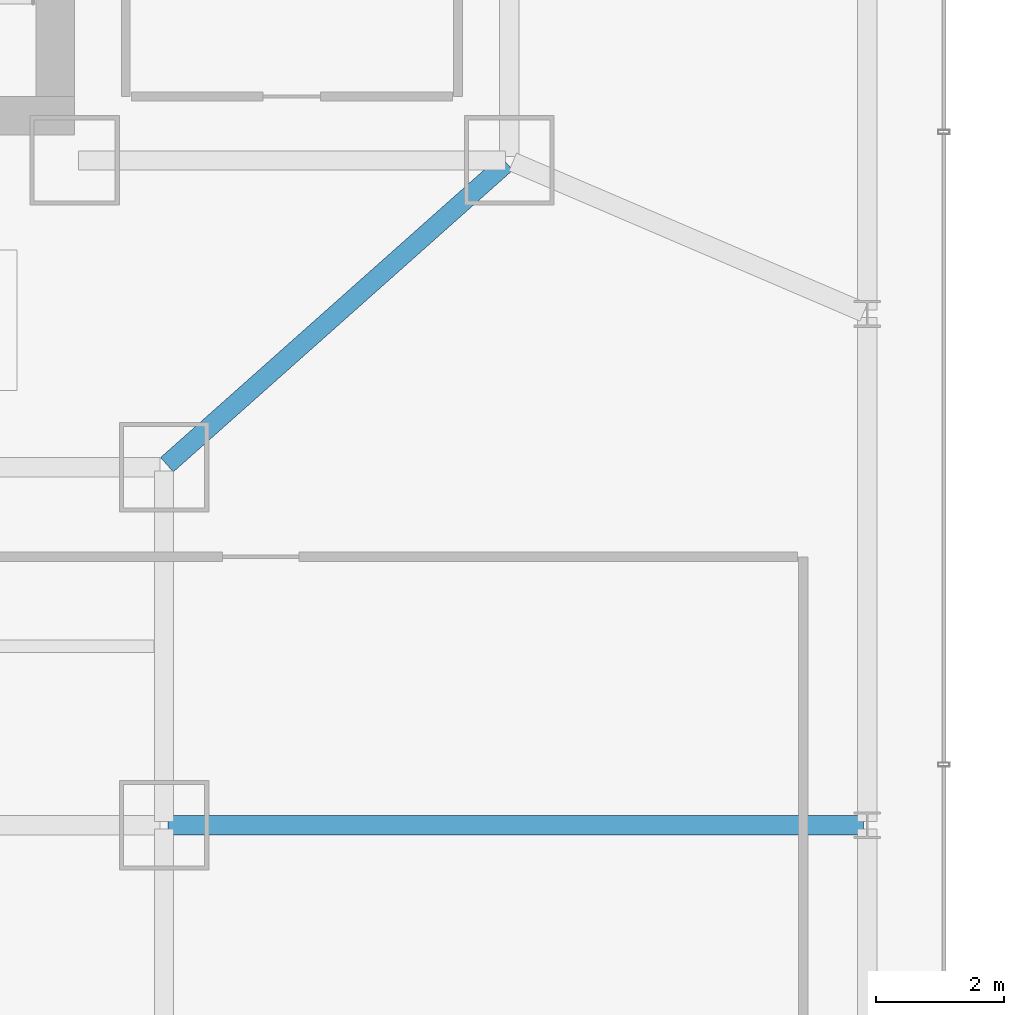
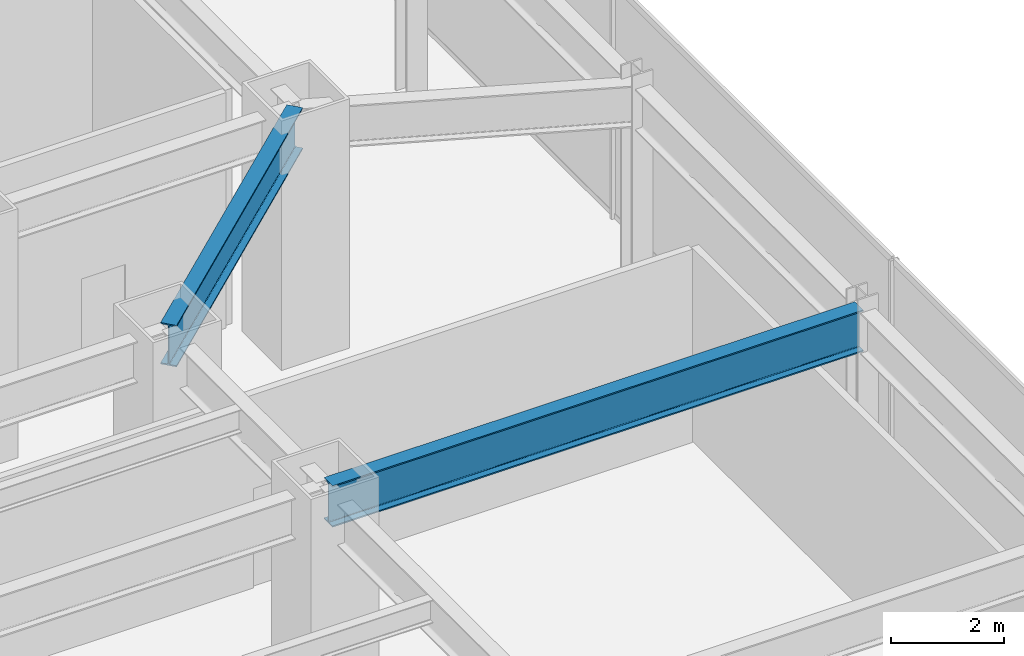
# One storey, part 27 of 52: 2 beams.
"""IFC4 building model written with IfcOpenShell, lengths in metres."""

from ifc_helpers import new_model, si_unit, direction, frame, origin, origin_2d, place, context, subcontext, project, spatial, i_section, extrude, material, material_profile, profile_set, type_object, element, save


model = new_model("IFC4")

# Units and contexts
model_context = context("Model", 3, precision=1e-05, world=origin(), true_north=direction((0.0, 1.0)))
body_context = subcontext(model_context, "Body", "Model", "MODEL_VIEW")
ifc_project = project(units=[si_unit("LENGTHUNIT", "METRE"), si_unit("AREAUNIT", "SQUARE_METRE"), si_unit("VOLUMEUNIT", "CUBIC_METRE"), si_unit("PLANEANGLEUNIT", "RADIAN"), si_unit("MASSUNIT", "GRAM", prefix="KILO")], contexts=[model_context])

# Site, building, storey
site_placement = place(None, origin())
site = spatial("IfcSite", under=ifc_project, at=site_placement, CompositionType="ELEMENT")
building_placement = place(site_placement, origin())
building = spatial("IfcBuilding", under=site, at=building_placement, Name="Saevonmaru Cultural Tower", CompositionType="ELEMENT")
storey_placement = place(building_placement, frame((0.0, 0.0, 11.39990234375)))
storey = spatial("IfcBuildingStorey", under=building, at=storey_placement, Name="L02", CompositionType="ELEMENT", Elevation=11.39990234375)

# Beams
ifc_material = material(Name="Steel SM420", Category="steel")
ifc_material_profile = material_profile(ifc_material, i_section(OverallWidth=0.300048828125, OverallDepth=0.89990234375, WebThickness=0.01611328125, FlangeThickness=0.028076171875, FilletRadius=0.028076171875, at=origin_2d()), Name="H-900x300x16x28")
ifc_profile_set = profile_set([ifc_material_profile], Name="Steel SM420")
beam_type = type_object("IfcBeamType", Name="BM-G-H900", PredefinedType="BEAM", material=ifc_profile_set)
beam_1_placement = place(storey_placement, frame((47.8447265625, 37.639892578125, 4.650146484375), z_axis=(0.74742827637, 0.664342510819, 0.0), x_axis=(-0.664342510819, 0.74742827637, 0.0)))
element("IfcBeam", 1, at=beam_1_placement, inside=storey, type_object=beam_type, Name="L02 Podium Girder NS4-6", PredefinedType="BEAM", context=body_context, shape_type="SweptSolid", body=[
    extrude(i_section(OverallWidth=0.300048828125, OverallDepth=0.89990234375, WebThickness=0.01611328125, FlangeThickness=0.028076171875, FilletRadius=0.028076171875, at=origin_2d()), origin(), (0.0, 0.0, 1.0), 7.10498046875),
])
beam_2_placement = place(storey_placement, frame((47.860107421875, 32.0, 4.650146484375), z_axis=(1.0, 0.0, 0.0), x_axis=(0.0, 1.0, 0.0)))
element("IfcBeam", 2, at=beam_2_placement, inside=storey, type_object=beam_type, Name="BM-POD-OE-4-L02", PredefinedType="BEAM", context=body_context, shape_type="SweptSolid", body=[
    extrude(i_section(OverallWidth=0.300048828125, OverallDepth=0.89990234375, WebThickness=0.01611328125, FlangeThickness=0.028076171875, FilletRadius=0.028076171875, at=origin_2d()), origin(), (0.0, 0.0, 1.0), 10.8798828125),
])

save(model, "model.ifc")
